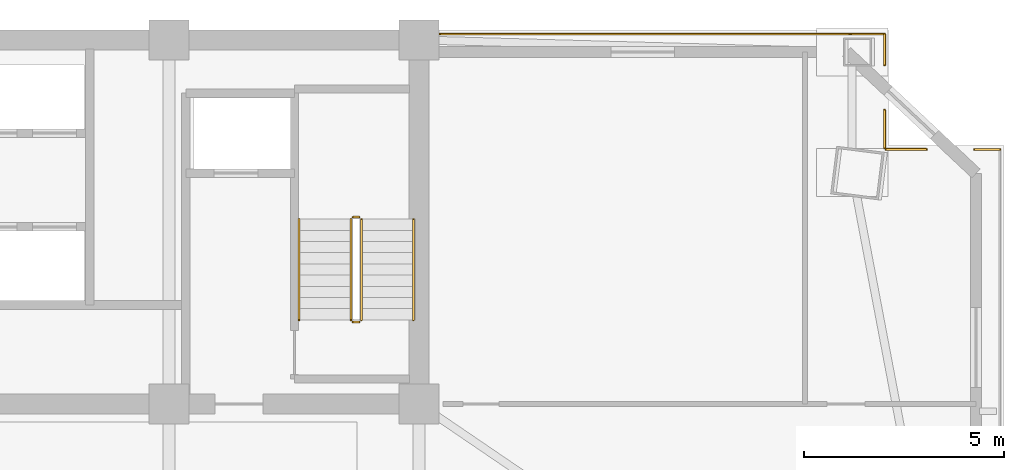
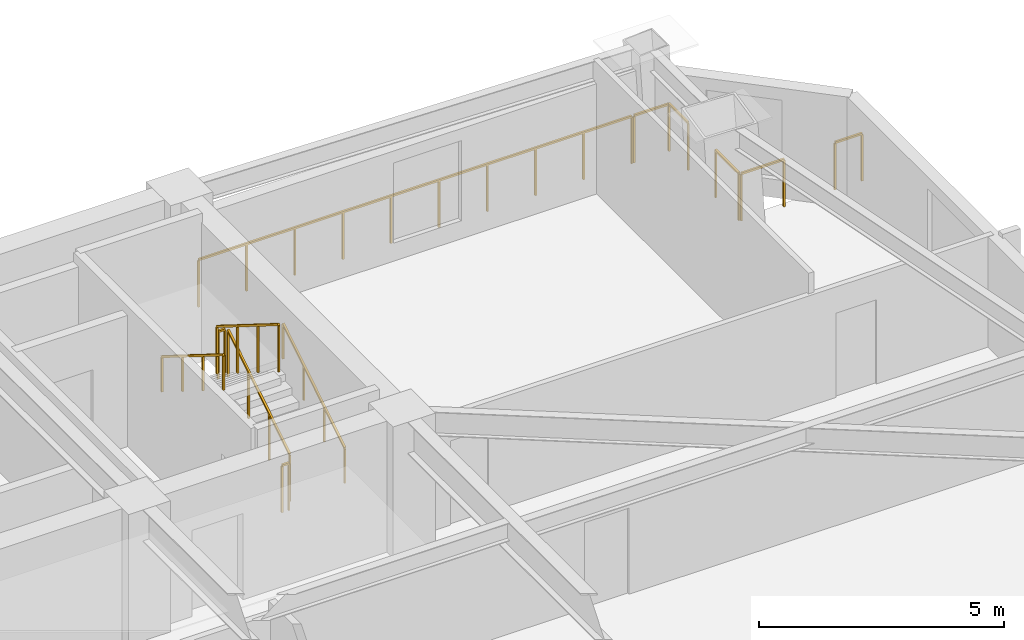
# One storey, part 15 of 15: 12 railings.
"""IFC4 building model written with IfcOpenShell, lengths in metres."""

from ifc_helpers import new_model, si_unit, direction, frame, origin, origin_2d, place, context, subcontext, project, spatial, rectangle, extrude, material, type_object, element, save


model = new_model("IFC4")

# Units and contexts
model_context = context("Model", 3, precision=1e-05, world=origin(), true_north=direction((0.0, 1.0)))
body_context = subcontext(model_context, "Body", "Model", "MODEL_VIEW")
ifc_project = project(units=[si_unit("LENGTHUNIT", "METRE"), si_unit("AREAUNIT", "SQUARE_METRE"), si_unit("VOLUMEUNIT", "CUBIC_METRE"), si_unit("PLANEANGLEUNIT", "RADIAN"), si_unit("MASSUNIT", "GRAM", prefix="KILO")], contexts=[model_context])

# Site, building, storey
site_placement = place(None, origin())
site = spatial("IfcSite", under=ifc_project, at=site_placement, CompositionType="ELEMENT")
building_placement = place(site_placement, origin())
building = spatial("IfcBuilding", under=site, at=building_placement, Name="Giltprow Tower", CompositionType="ELEMENT")
storey_placement = place(building_placement, frame((0.0, 0.0, 177.199951171875)))
storey = spatial("IfcBuildingStorey", under=building, at=storey_placement, Name="L44", CompositionType="ELEMENT", Elevation=177.199951171875)

# Railings
ifc_material = material(Name="Anodized bronze", Category="metal")
railing_type_1 = type_object("IfcRailingType", Name="RAIL-BALC-GUARD-1200", PredefinedType="BALUSTRADE", material=ifc_material)
railing_1_placement = place(storey_placement, frame((51.0849609375, 46.699951171875, 0.0)))
element("IfcRailing", 1, at=railing_1_placement, inside=storey, type_object=railing_type_1, Name="L44 Corner Apron Edge Balustrade 12", PredefinedType="BALUSTRADE", context=body_context, shape_type="SweptSolid", body=[
    extrude(rectangle(XDim=0.048095703125, YDim=0.048095703125, at=origin_2d()), frame((0.0, 0.0, 1.17578125), z_axis=(1.0, 0.0, 0.0), x_axis=(0.0, 1.0, 0.0)), (0.0, 0.0, 1.0), 10.22509765625),
    extrude(rectangle(XDim=0.0419921875, YDim=0.0419921875, at=origin_2d()), origin(), (0.0, 0.0, 1.0), 1.15185546875),
    extrude(rectangle(XDim=0.0419921875, YDim=0.0419921875, at=origin_2d()), frame((1.13623046875, 0.0, 0.0)), (0.0, 0.0, 1.0), 1.15185546875),
    extrude(rectangle(XDim=0.0419921875, YDim=0.0419921875, at=origin_2d()), frame((2.272216796875, 0.0, 0.0)), (0.0, 0.0, 1.0), 1.15185546875),
    extrude(rectangle(XDim=0.0419921875, YDim=0.0419921875, at=origin_2d()), frame((3.408447265625, 0.0, 0.0)), (0.0, 0.0, 1.0), 1.15185546875),
    extrude(rectangle(XDim=0.0419921875, YDim=0.0419921875, at=origin_2d()), frame((4.54443359375, 0.0, 0.0)), (0.0, 0.0, 1.0), 1.15185546875),
    extrude(rectangle(XDim=0.0419921875, YDim=0.0419921875, at=origin_2d()), frame((5.6806640625, 0.0, 0.0)), (0.0, 0.0, 1.0), 1.15185546875),
    extrude(rectangle(XDim=0.0419921875, YDim=0.0419921875, at=origin_2d()), frame((6.816650390625, 0.0, 0.0)), (0.0, 0.0, 1.0), 1.15185546875),
    extrude(rectangle(XDim=0.0419921875, YDim=0.0419921875, at=origin_2d()), frame((7.952880859375, 0.0, 0.0)), (0.0, 0.0, 1.0), 1.15185546875),
    extrude(rectangle(XDim=0.0419921875, YDim=0.0419921875, at=origin_2d()), frame((9.0888671875, 0.0, 0.0)), (0.0, 0.0, 1.0), 1.15185546875),
    extrude(rectangle(XDim=0.0419921875, YDim=0.0419921875, at=origin_2d()), frame((10.22509765625, 0.0, 0.0)), (0.0, 0.0, 1.0), 1.15185546875),
])
railing_2_placement = place(storey_placement, frame((61.364013671875, 46.699951171875, 0.0)))
element("IfcRailing", 2, at=railing_2_placement, inside=storey, type_object=railing_type_1, Name="L44 Corner Apron Edge Balustrade 13", PredefinedType="BALUSTRADE", context=body_context, shape_type="SweptSolid", body=[
    extrude(rectangle(XDim=0.048095703125, YDim=0.048095703125, at=origin_2d()), frame((0.0, 0.0, 1.17578125), z_axis=(1.0, 0.0, 0.0), x_axis=(0.0, 1.0, 0.0)), (0.0, 0.0, 1.0), 0.830078125),
    extrude(rectangle(XDim=0.0419921875, YDim=0.0419921875, at=origin_2d()), origin(), (0.0, 0.0, 1.0), 1.15185546875),
    extrude(rectangle(XDim=0.0419921875, YDim=0.0419921875, at=origin_2d()), frame((0.830078125, 0.0, 0.0)), (0.0, 0.0, 1.0), 1.15185546875),
])
railing_3_placement = place(storey_placement, frame((62.194091796875, 46.699951171875, 0.0)))
element("IfcRailing", 3, at=railing_3_placement, inside=storey, type_object=railing_type_1, Name="L44 Corner Apron Edge Balustrade 14", PredefinedType="BALUSTRADE", context=body_context, shape_type="SweptSolid", body=[
    extrude(rectangle(XDim=0.048095703125, YDim=0.048095703125, at=origin_2d()), frame((0.0, 0.0, 1.17578125), z_axis=(0.0, -1.0, 0.0), x_axis=(1.0, 0.0, 0.0)), (0.0, 0.0, 1.0), 0.779052734375),
    extrude(rectangle(XDim=0.0419921875, YDim=0.0419921875, at=origin_2d()), origin(), (0.0, 0.0, 1.0), 1.15185546875),
    extrude(rectangle(XDim=0.0419921875, YDim=0.0419921875, at=origin_2d()), frame((0.0, -0.779052734375, 0.0)), (0.0, 0.0, 1.0), 1.15185546875),
])
railing_4_placement = place(storey_placement, frame((62.194091796875, 44.7958984375, 0.0)))
element("IfcRailing", 4, at=railing_4_placement, inside=storey, type_object=railing_type_1, Name="L44 Corner Apron Edge Balustrade 15", PredefinedType="BALUSTRADE", context=body_context, shape_type="SweptSolid", body=[
    extrude(rectangle(XDim=0.048095703125, YDim=0.048095703125, at=origin_2d()), frame((0.0, 0.0, 1.17578125), z_axis=(0.0, -1.0, 0.0), x_axis=(1.0, 0.0, 0.0)), (0.0, 0.0, 1.0), 0.947998046875),
    extrude(rectangle(XDim=0.0419921875, YDim=0.0419921875, at=origin_2d()), origin(), (0.0, 0.0, 1.0), 1.15185546875),
    extrude(rectangle(XDim=0.0419921875, YDim=0.0419921875, at=origin_2d()), frame((0.0, -0.947998046875, 0.0)), (0.0, 0.0, 1.0), 1.15185546875),
])
railing_5_placement = place(storey_placement, frame((62.22900390625, 43.81298828125, 0.0)))
element("IfcRailing", 5, at=railing_5_placement, inside=storey, type_object=railing_type_1, Name="L44 Corner Apron Edge Balustrade 16", PredefinedType="BALUSTRADE", context=body_context, shape_type="SweptSolid", body=[
    extrude(rectangle(XDim=0.048095703125, YDim=0.048095703125, at=origin_2d()), frame((0.0, 0.0, 1.17578125), z_axis=(1.0, 0.0, 0.0), x_axis=(0.0, 1.0, 0.0)), (0.0, 0.0, 1.0), 1.012939453125),
    extrude(rectangle(XDim=0.0419921875, YDim=0.0419921875, at=origin_2d()), origin(), (0.0, 0.0, 1.0), 1.15185546875),
    extrude(rectangle(XDim=0.0419921875, YDim=0.0419921875, at=origin_2d()), frame((1.012939453125, 0.0, 0.0)), (0.0, 0.0, 1.0), 1.15185546875),
])
railing_6_placement = place(storey_placement, frame((64.44091796875, 43.81298828125, 0.0)))
element("IfcRailing", 6, at=railing_6_placement, inside=storey, type_object=railing_type_1, Name="L44 Corner Apron Edge Balustrade 17", PredefinedType="BALUSTRADE", context=body_context, shape_type="SweptSolid", body=[
    extrude(rectangle(XDim=0.048095703125, YDim=0.048095703125, at=origin_2d()), frame((0.0, 0.0, 1.17578125), z_axis=(1.0, 0.0, 0.0), x_axis=(0.0, 1.0, 0.0)), (0.0, 0.0, 1.0), 0.64013671875),
    extrude(rectangle(XDim=0.0419921875, YDim=0.0419921875, at=origin_2d()), origin(), (0.0, 0.0, 1.0), 1.15185546875),
    extrude(rectangle(XDim=0.0419921875, YDim=0.0419921875, at=origin_2d()), frame((0.64013671875, 0.0, 0.0)), (0.0, 0.0, 1.0), 1.15185546875),
])
railing_type_2 = type_object("IfcRailingType", Name="RAIL-STAIR-GUARD-1200", PredefinedType="GUARDRAIL", material=ifc_material)
railing_7_placement = place(storey_placement, frame((49.110107421875, 39.550048828125, 0.175048828125)))
element("IfcRailing", 7, at=railing_7_placement, inside=storey, type_object=railing_type_2, Name="L44 ST-3 stair guard 1", PredefinedType="GUARDRAIL", context=body_context, shape_type="SweptSolid", body=[
    extrude(rectangle(XDim=0.048095703125, YDim=0.048095703125, at=origin_2d()), frame((0.0, 0.0, 1.17578125), z_axis=(0.0, 0.848007534815, 0.529984170421), x_axis=(-1.0, 0.0, 0.0)), (0.0, 0.0, 1.0), 2.9716796875),
    extrude(rectangle(XDim=0.0419921875, YDim=0.0419921875, at=origin_2d()), origin(), (0.0, 0.0, 1.0), 1.15185546875),
    extrude(rectangle(XDim=0.0419921875, YDim=0.0419921875, at=origin_2d()), frame((0.0, 0.840087890625, 0.52490234375)), (0.0, 0.0, 1.0), 1.15185546875),
    extrude(rectangle(XDim=0.0419921875, YDim=0.0419921875, at=origin_2d()), frame((0.0, 1.679931640625, 1.050048828125)), (0.0, 0.0, 1.0), 1.15185546875),
    extrude(rectangle(XDim=0.0419921875, YDim=0.0419921875, at=origin_2d()), frame((0.0, 2.52001953125, 1.574951171875)), (0.0, 0.0, 1.0), 1.15185546875),
])
railing_8_placement = place(storey_placement, frame((49.06005859375, 42.1201171875, 1.75)))
element("IfcRailing", 8, at=railing_8_placement, inside=storey, type_object=railing_type_2, Name="L44 ST-3 stair guard 2", PredefinedType="GUARDRAIL", context=body_context, shape_type="SweptSolid", body=[
    extrude(rectangle(XDim=0.048095703125, YDim=0.048095703125, at=origin_2d()), frame((0.0, 0.0, 1.17578125), z_axis=(-1.0, 0.0, 0.0), x_axis=(0.0, -1.0, 0.0)), (0.0, 0.0, 1.0), 0.16015625),
    extrude(rectangle(XDim=0.0419921875, YDim=0.0419921875, at=origin_2d()), origin(), (0.0, 0.0, 1.0), 1.15185546875),
    extrude(rectangle(XDim=0.0419921875, YDim=0.0419921875, at=origin_2d()), frame((-0.16015625, 0.0, 0.0)), (0.0, 0.0, 1.0), 1.15185546875),
])
railing_9_placement = place(storey_placement, frame((48.85009765625, 42.070068359375, 1.925048828125)))
element("IfcRailing", 9, at=railing_9_placement, inside=storey, type_object=railing_type_2, Name="L44 ST-3 stair guard 3", PredefinedType="GUARDRAIL", context=body_context, shape_type="SweptSolid", body=[
    extrude(rectangle(XDim=0.048095703125, YDim=0.048095703125, at=origin_2d()), frame((0.0, 0.0, 1.17578125), z_axis=(0.0, -0.848007534815, 0.529984170421), x_axis=(1.0, 0.0, 0.0)), (0.0, 0.0, 1.0), 2.9716796875),
    extrude(rectangle(XDim=0.0419921875, YDim=0.0419921875, at=origin_2d()), origin(), (0.0, 0.0, 1.0), 1.15185546875),
    extrude(rectangle(XDim=0.0419921875, YDim=0.0419921875, at=origin_2d()), frame((0.0, -0.840087890625, 0.52490234375)), (0.0, 0.0, 1.0), 1.15185546875),
    extrude(rectangle(XDim=0.0419921875, YDim=0.0419921875, at=origin_2d()), frame((0.0, -1.679931640625, 1.050048828125)), (0.0, 0.0, 1.0), 1.15185546875),
    extrude(rectangle(XDim=0.0419921875, YDim=0.0419921875, at=origin_2d()), frame((0.0, -2.52001953125, 1.574951171875)), (0.0, 0.0, 1.0), 1.15185546875),
])
railing_10_placement = place(storey_placement, frame((49.06005859375, 39.5, 0.0)))
element("IfcRailing", 10, at=railing_10_placement, inside=storey, type_object=railing_type_2, Name="L44 ST-3 stair guard 4", PredefinedType="GUARDRAIL", context=body_context, shape_type="SweptSolid", body=[
    extrude(rectangle(XDim=0.048095703125, YDim=0.048095703125, at=origin_2d()), frame((0.0, 0.0, 1.17578125), z_axis=(-1.0, 0.0, 0.0), x_axis=(0.0, -1.0, 0.0)), (0.0, 0.0, 1.0), 0.16015625),
    extrude(rectangle(XDim=0.0419921875, YDim=0.0419921875, at=origin_2d()), origin(), (0.0, 0.0, 1.0), 1.15185546875),
    extrude(rectangle(XDim=0.0419921875, YDim=0.0419921875, at=origin_2d()), frame((-0.16015625, 0.0, 0.0)), (0.0, 0.0, 1.0), 1.15185546875),
])
railing_type_3 = type_object("IfcRailingType", Name="RAIL-STAIR-HAND-900", PredefinedType="HANDRAIL", material=ifc_material)
railing_11_placement = place(storey_placement, frame((50.409912109375, 39.550048828125, 0.175048828125)))
element("IfcRailing", 11, at=railing_11_placement, inside=storey, type_object=railing_type_3, Name="L44 ST-3 stair handrail 1", PredefinedType="HANDRAIL", context=body_context, shape_type="SweptSolid", body=[
    extrude(rectangle(XDim=0.048095703125, YDim=0.048095703125, at=origin_2d()), frame((0.0, 0.0, 0.8759765625), z_axis=(0.0, 0.848007534815, 0.529984170421), x_axis=(-1.0, 0.0, 0.0)), (0.0, 0.0, 1.0), 2.9716796875),
    extrude(rectangle(XDim=0.0419921875, YDim=0.0419921875, at=origin_2d()), origin(), (0.0, 0.0, 1.0), 0.851806640625),
    extrude(rectangle(XDim=0.0419921875, YDim=0.0419921875, at=origin_2d()), frame((0.0, 0.840087890625, 0.52490234375)), (0.0, 0.0, 1.0), 0.851806640625),
    extrude(rectangle(XDim=0.0419921875, YDim=0.0419921875, at=origin_2d()), frame((0.0, 1.679931640625, 1.050048828125)), (0.0, 0.0, 1.0), 0.851806640625),
    extrude(rectangle(XDim=0.0419921875, YDim=0.0419921875, at=origin_2d()), frame((0.0, 2.52001953125, 1.574951171875)), (0.0, 0.0, 1.0), 0.851806640625),
])
railing_12_placement = place(storey_placement, frame((47.550048828125, 42.070068359375, 1.925048828125)))
element("IfcRailing", 12, at=railing_12_placement, inside=storey, type_object=railing_type_3, Name="L44 ST-3 stair handrail 2", PredefinedType="HANDRAIL", context=body_context, shape_type="SweptSolid", body=[
    extrude(rectangle(XDim=0.048095703125, YDim=0.048095703125, at=origin_2d()), frame((0.0, 0.0, 0.8759765625), z_axis=(0.0, -0.848007534815, 0.529984170421), x_axis=(1.0, 0.0, 0.0)), (0.0, 0.0, 1.0), 2.9716796875),
    extrude(rectangle(XDim=0.0419921875, YDim=0.0419921875, at=origin_2d()), origin(), (0.0, 0.0, 1.0), 0.851806640625),
    extrude(rectangle(XDim=0.0419921875, YDim=0.0419921875, at=origin_2d()), frame((0.0, -0.840087890625, 0.52490234375)), (0.0, 0.0, 1.0), 0.851806640625),
    extrude(rectangle(XDim=0.0419921875, YDim=0.0419921875, at=origin_2d()), frame((0.0, -1.679931640625, 1.050048828125)), (0.0, 0.0, 1.0), 0.851806640625),
    extrude(rectangle(XDim=0.0419921875, YDim=0.0419921875, at=origin_2d()), frame((0.0, -2.52001953125, 1.574951171875)), (0.0, 0.0, 1.0), 0.851806640625),
])

save(model, "model.ifc")
